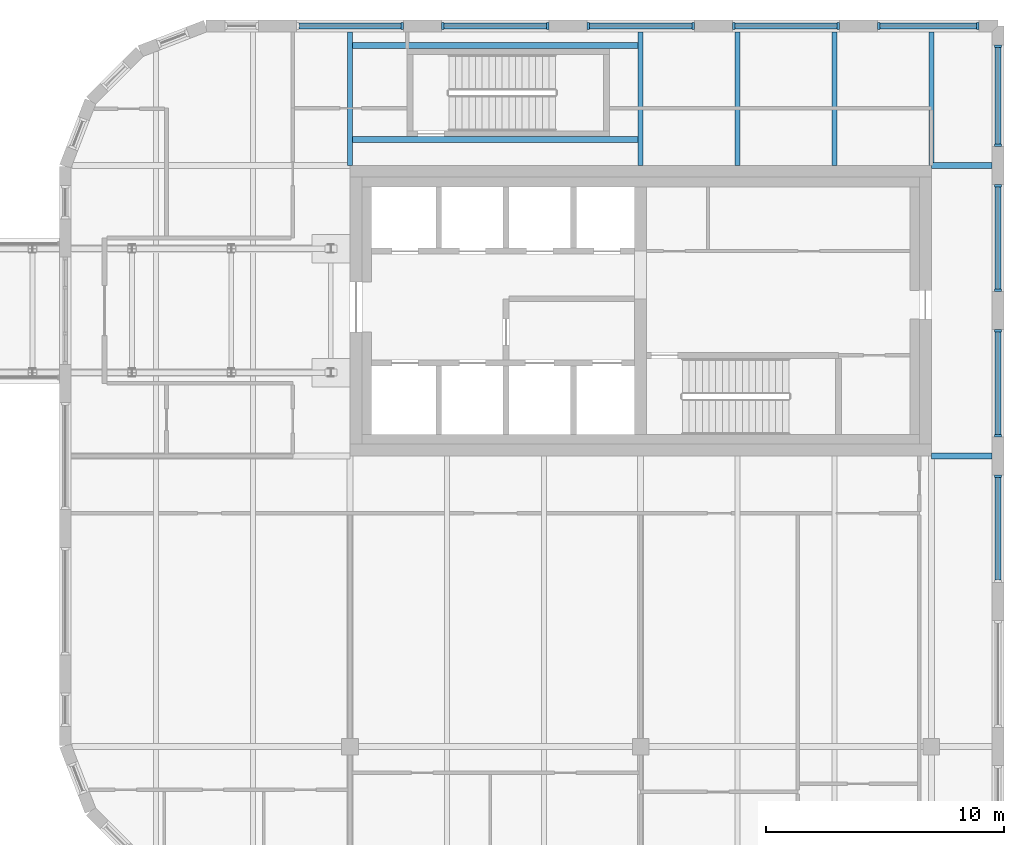
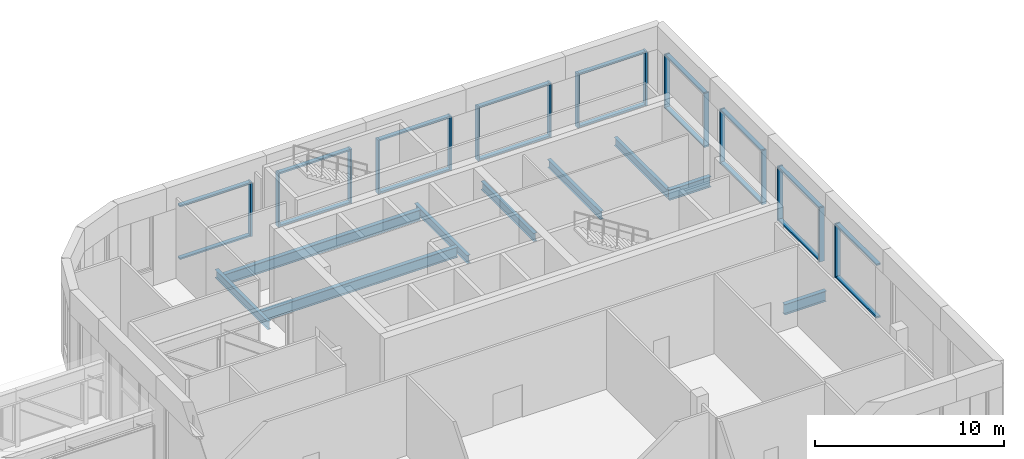
# One storey, part 12 of 36: 34 members, 9 beams, 9 elements without a shape of their own.
"""IFC4 building model written with IfcOpenShell, lengths in metres."""

from ifc_helpers import new_model, si_unit, direction, frame, origin, origin_2d, place, context, subcontext, project, spatial, rectangle, i_section, extrude, material, material_profile, profile_set, type_object, element, aggregate, save


model = new_model("IFC4")

# Units and contexts
model_context = context("Model", 3, precision=1e-05, world=origin(), true_north=direction((0.0, 1.0)))
body_context = subcontext(model_context, "Body", "Model", "MODEL_VIEW")
ifc_project = project(units=[si_unit("LENGTHUNIT", "METRE"), si_unit("AREAUNIT", "SQUARE_METRE"), si_unit("VOLUMEUNIT", "CUBIC_METRE"), si_unit("PLANEANGLEUNIT", "RADIAN"), si_unit("MASSUNIT", "GRAM", prefix="KILO")], contexts=[model_context])

# Site, building, storey
site_placement = place(None, origin())
site = spatial("IfcSite", under=ifc_project, at=site_placement, CompositionType="ELEMENT")
building_placement = place(site_placement, origin())
building = spatial("IfcBuilding", under=site, at=building_placement, Name="Tessera Gate Towers", CompositionType="ELEMENT")
storey_placement = place(building_placement, frame((0.0, 0.0, 106.60009765625)))
storey = spatial("IfcBuildingStorey", under=building, at=storey_placement, Name="L26", CompositionType="ELEMENT", Elevation=106.60009765625)

# Beams
ifc_material_1 = material(Name="Steel 350W", Category="steel")
ifc_material_profile_1 = material_profile(ifc_material_1, i_section(OverallWidth=0.2529296875, OverallDepth=0.677978515625, WebThickness=0.01171875, FlangeThickness=0.016357421875, at=origin_2d()), Name="W690x125")
ifc_profile_set_1 = profile_set([ifc_material_profile_1], Name="Steel 350W")
beam_type_1 = type_object("IfcBeamType", Name="FLOOR GIRDER W690x125", PredefinedType="BEAM", material=ifc_profile_set_1)
for number, where, z_axis, x_axis, name in (
    (1, (122.0009765625, 36.60009765625, -0.589111328125), (1.0, 0.0, 0.0), (0.0, 1.0, 0.0), "T2-GD-L26-3483"),
    (2, (122.0009765625, 48.800048828125, -0.589111328125), (1.0, 0.0, 0.0), (0.0, 1.0, 0.0), "T2-GD-L26-3485"),
):
    element("IfcBeam", number, at=place(storey_placement, frame(where, z_axis=z_axis, x_axis=x_axis)), inside=storey, type_object=beam_type_1, Name=name, PredefinedType="BEAM", context=body_context, shape_type="SweptSolid", body=[
        extrude(i_section(OverallWidth=0.2529296875, OverallDepth=0.677978515625, WebThickness=0.01171875, FlangeThickness=0.016357421875, at=origin_2d()), origin(), (0.0, 0.0, 1.0), 2.550048828125),
    ])
for number, where, z_axis, x_axis, name in (
    (3, (97.70458984375, 49.8798828125, -0.589111328125), (1.0, 0.0, 0.0), (0.0, 1.0, 0.0), "T2-GD-L26-3492"),
    (4, (97.70458984375, 53.820068359375, -0.589111328125), (1.0, 0.0, 0.0), (0.0, 1.0, 0.0), "T2-GD-L26-3493"),
):
    element("IfcBeam", number, at=place(storey_placement, frame(where, z_axis=z_axis, x_axis=x_axis)), inside=storey, type_object=beam_type_1, Name=name, PredefinedType="BEAM", context=body_context, shape_type="SweptSolid", body=[
        extrude(i_section(OverallWidth=0.2529296875, OverallDepth=0.677978515625, WebThickness=0.01171875, FlangeThickness=0.016357421875, at=origin_2d()), origin(), (0.0, 0.0, 1.0), 11.990966796875),
    ])
ifc_material_2 = material(Name="Steel 350W", Category="steel")
ifc_material_profile_2 = material_profile(ifc_material_2, i_section(OverallWidth=0.208984375, OverallDepth=0.528076171875, WebThickness=0.009521484375, FlangeThickness=0.01318359375, at=origin_2d()), Name="W530x82")
ifc_profile_set_2 = profile_set([ifc_material_profile_2], Name="Steel 350W")
beam_type_2 = type_object("IfcBeamType", Name="FLOOR SECONDARY W530x82", PredefinedType="BEAM", material=ifc_profile_set_2)
for number, where, z_axis, x_axis, name in (
    (5, (97.60009765625, 48.800048828125, -0.51416015625), (0.0, 1.0, 0.0), (-1.0, 0.0, 0.0), "T2-BM-L26-3504"),
    (6, (109.800048828125, 48.800048828125, -0.51416015625), (0.0, 1.0, 0.0), (-1.0, 0.0, 0.0), "T2-BM-L26-3509"),
    (7, (113.86669921875, 48.800048828125, -0.51416015625), (0.0, 1.0, 0.0), (-1.0, 0.0, 0.0), "T2-BM-L26-3512"),
    (8, (117.933349609375, 48.800048828125, -0.51416015625), (0.0, 1.0, 0.0), (-1.0, 0.0, 0.0), "T2-BM-L26-3515"),
    (9, (122.0, 48.800048828125, -0.51416015625), (0.0, 1.0, 0.0), (-1.0, 0.0, 0.0), "T2-BM-L26-3516"),
):
    element("IfcBeam", number, at=place(storey_placement, frame(where, z_axis=z_axis, x_axis=x_axis)), inside=storey, type_object=beam_type_2, Name=name, PredefinedType="BEAM", context=body_context, shape_type="SweptSolid", body=[
        extrude(i_section(OverallWidth=0.208984375, OverallDepth=0.528076171875, WebThickness=0.009521484375, FlangeThickness=0.01318359375, at=origin_2d()), origin(), (0.0, 0.0, 1.0), 5.599853515625),
    ])

# Curtain wall, member
ifc_material_3 = material(Name="Aluminium frame", Category="aluminium")
curtain_wall_type = type_object("IfcCurtainWallType", Name="CW-S3 amenity floor glazing", PredefinedType="NOTDEFINED", material=ifc_material_3)
curtain_wall_1_placement = place(storey_placement, origin())
curtain_wall_1 = element("IfcCurtainWall", 10, at=curtain_wall_1_placement, inside=storey, type_object=curtain_wall_type, Name="Curtain wall amenity floor glazing 0127", PredefinedType="NOTDEFINED")
ifc_material_4 = material(Name="Aluminium frame", Category="aluminium")
ifc_material_profile_3 = material_profile(ifc_material_4, rectangle(XDim=0.10009765625, YDim=0.300048828125, at=origin_2d()), Name="AL 100x300")
ifc_profile_set_3 = profile_set([ifc_material_profile_3], Name="Aluminium frame")
member_type_1 = type_object("IfcMemberType", Name="MU-S3 mullion 100x300", PredefinedType="MULLION", material=ifc_profile_set_3)
member_1_placement = place(storey_placement, frame((124.800048828125, 35.75, 1.0), z_axis=(0.0, 0.0, 1.0), x_axis=(0.0, 1.0, 0.0)))
member_1 = element("IfcMember", 11, at=member_1_placement, type_object=member_type_1, Name="T2-CW3-0127 mullion 2", PredefinedType="MULLION", context=body_context, shape_type="SweptSolid", body=[
    extrude(rectangle(XDim=0.10009765625, YDim=0.300048828125, at=origin_2d()), origin(), (0.0, 0.0, 1.0), 3.5),
])

# Curtain wall, members
curtain_wall_2_placement = place(storey_placement, origin())
curtain_wall_2 = element("IfcCurtainWall", 12, at=curtain_wall_2_placement, inside=storey, type_object=curtain_wall_type, Name="Curtain wall amenity floor glazing 0128", PredefinedType="NOTDEFINED")
member_2_placement = place(storey_placement, frame((124.800048828125, 37.449951171875, 1.0), z_axis=(0.0, 0.0, 1.0), x_axis=(0.0, 1.0, 0.0)))
member_2 = element("IfcMember", 13, at=member_2_placement, type_object=member_type_1, Name="T2-CW3-0128 mullion 1", PredefinedType="MULLION", context=body_context, shape_type="SweptSolid", body=[
    extrude(rectangle(XDim=0.10009765625, YDim=0.300048828125, at=origin_2d()), origin(), (0.0, 0.0, 1.0), 3.5),
])
member_3_placement = place(storey_placement, frame((124.800048828125, 41.85009765625, 1.0), z_axis=(0.0, 0.0, 1.0), x_axis=(0.0, 1.0, 0.0)))
member_3 = element("IfcMember", 14, at=member_3_placement, type_object=member_type_1, Name="T2-CW3-0128 mullion 2", PredefinedType="MULLION", context=body_context, shape_type="SweptSolid", body=[
    extrude(rectangle(XDim=0.10009765625, YDim=0.300048828125, at=origin_2d()), origin(), (0.0, 0.0, 1.0), 3.5),
])

curtain_wall_3_placement = place(storey_placement, origin())
curtain_wall_3 = element("IfcCurtainWall", 15, at=curtain_wall_3_placement, inside=storey, type_object=curtain_wall_type, Name="Curtain wall amenity floor glazing 0129", PredefinedType="NOTDEFINED")
member_4_placement = place(storey_placement, frame((124.800048828125, 43.550048828125, 1.0), z_axis=(0.0, 0.0, 1.0), x_axis=(0.0, 1.0, 0.0)))
member_4 = element("IfcMember", 16, at=member_4_placement, type_object=member_type_1, Name="T2-CW3-0129 mullion 1", PredefinedType="MULLION", context=body_context, shape_type="SweptSolid", body=[
    extrude(rectangle(XDim=0.10009765625, YDim=0.300048828125, at=origin_2d()), origin(), (0.0, 0.0, 1.0), 3.5),
])
member_5_placement = place(storey_placement, frame((124.800048828125, 47.949951171875, 1.0), z_axis=(0.0, 0.0, 1.0), x_axis=(0.0, 1.0, 0.0)))
member_5 = element("IfcMember", 17, at=member_5_placement, type_object=member_type_1, Name="T2-CW3-0129 mullion 2", PredefinedType="MULLION", context=body_context, shape_type="SweptSolid", body=[
    extrude(rectangle(XDim=0.10009765625, YDim=0.300048828125, at=origin_2d()), origin(), (0.0, 0.0, 1.0), 3.5),
])

curtain_wall_4_placement = place(storey_placement, origin())
curtain_wall_4 = element("IfcCurtainWall", 18, at=curtain_wall_4_placement, inside=storey, type_object=curtain_wall_type, Name="Curtain wall amenity floor glazing 0130", PredefinedType="NOTDEFINED")
member_6_placement = place(storey_placement, frame((124.800048828125, 49.64990234375, 1.0), z_axis=(0.0, 0.0, 1.0), x_axis=(0.0, 1.0, 0.0)))
member_6 = element("IfcMember", 19, at=member_6_placement, type_object=member_type_1, Name="T2-CW3-0130 mullion 1", PredefinedType="MULLION", context=body_context, shape_type="SweptSolid", body=[
    extrude(rectangle(XDim=0.10009765625, YDim=0.300048828125, at=origin_2d()), origin(), (0.0, 0.0, 1.0), 3.5),
])
member_7_placement = place(storey_placement, frame((124.800048828125, 53.800048828125, 1.0), z_axis=(0.0, 0.0, 1.0), x_axis=(0.0, 1.0, 0.0)))
member_7 = element("IfcMember", 20, at=member_7_placement, type_object=member_type_1, Name="T2-CW3-0130 mullion 2", PredefinedType="MULLION", context=body_context, shape_type="SweptSolid", body=[
    extrude(rectangle(XDim=0.10009765625, YDim=0.300048828125, at=origin_2d()), origin(), (0.0, 0.0, 1.0), 3.5),
])

curtain_wall_5_placement = place(storey_placement, origin())
curtain_wall_5 = element("IfcCurtainWall", 21, at=curtain_wall_5_placement, inside=storey, type_object=curtain_wall_type, Name="Curtain wall amenity floor glazing 0131", PredefinedType="NOTDEFINED")
member_8_placement = place(storey_placement, frame((123.949951171875, 54.64990234375, 1.0), z_axis=(0.0, 0.0, 1.0), x_axis=(-1.0, 0.0, 0.0)))
member_8 = element("IfcMember", 22, at=member_8_placement, type_object=member_type_1, Name="T2-CW3-0131 mullion 1", PredefinedType="MULLION", context=body_context, shape_type="SweptSolid", body=[
    extrude(rectangle(XDim=0.10009765625, YDim=0.300048828125, at=origin_2d()), origin(), (0.0, 0.0, 1.0), 3.5),
])
member_9_placement = place(storey_placement, frame((119.800048828125, 54.64990234375, 1.0), z_axis=(0.0, 0.0, 1.0), x_axis=(-1.0, 0.0, 0.0)))
member_9 = element("IfcMember", 23, at=member_9_placement, type_object=member_type_1, Name="T2-CW3-0131 mullion 2", PredefinedType="MULLION", context=body_context, shape_type="SweptSolid", body=[
    extrude(rectangle(XDim=0.10009765625, YDim=0.300048828125, at=origin_2d()), origin(), (0.0, 0.0, 1.0), 3.5),
])

curtain_wall_6_placement = place(storey_placement, origin())
curtain_wall_6 = element("IfcCurtainWall", 24, at=curtain_wall_6_placement, inside=storey, type_object=curtain_wall_type, Name="Curtain wall amenity floor glazing 0132", PredefinedType="NOTDEFINED")
member_10_placement = place(storey_placement, frame((118.10009765625, 54.64990234375, 1.0), z_axis=(0.0, 0.0, 1.0), x_axis=(-1.0, 0.0, 0.0)))
member_10 = element("IfcMember", 25, at=member_10_placement, type_object=member_type_1, Name="T2-CW3-0132 mullion 1", PredefinedType="MULLION", context=body_context, shape_type="SweptSolid", body=[
    extrude(rectangle(XDim=0.10009765625, YDim=0.300048828125, at=origin_2d()), origin(), (0.0, 0.0, 1.0), 3.5),
])
member_11_placement = place(storey_placement, frame((113.699951171875, 54.64990234375, 1.0), z_axis=(0.0, 0.0, 1.0), x_axis=(-1.0, 0.0, 0.0)))
member_11 = element("IfcMember", 26, at=member_11_placement, type_object=member_type_1, Name="T2-CW3-0132 mullion 2", PredefinedType="MULLION", context=body_context, shape_type="SweptSolid", body=[
    extrude(rectangle(XDim=0.10009765625, YDim=0.300048828125, at=origin_2d()), origin(), (0.0, 0.0, 1.0), 3.5),
])

curtain_wall_7_placement = place(storey_placement, origin())
curtain_wall_7 = element("IfcCurtainWall", 27, at=curtain_wall_7_placement, inside=storey, type_object=curtain_wall_type, Name="Curtain wall amenity floor glazing 0133", PredefinedType="NOTDEFINED")
member_12_placement = place(storey_placement, frame((112.0, 54.64990234375, 1.0), z_axis=(0.0, 0.0, 1.0), x_axis=(-1.0, 0.0, 0.0)))
member_12 = element("IfcMember", 28, at=member_12_placement, type_object=member_type_1, Name="T2-CW3-0133 mullion 1", PredefinedType="MULLION", context=body_context, shape_type="SweptSolid", body=[
    extrude(rectangle(XDim=0.10009765625, YDim=0.300048828125, at=origin_2d()), origin(), (0.0, 0.0, 1.0), 3.5),
])
member_13_placement = place(storey_placement, frame((107.60009765625, 54.64990234375, 1.0), z_axis=(0.0, 0.0, 1.0), x_axis=(-1.0, 0.0, 0.0)))
member_13 = element("IfcMember", 29, at=member_13_placement, type_object=member_type_1, Name="T2-CW3-0133 mullion 2", PredefinedType="MULLION", context=body_context, shape_type="SweptSolid", body=[
    extrude(rectangle(XDim=0.10009765625, YDim=0.300048828125, at=origin_2d()), origin(), (0.0, 0.0, 1.0), 3.5),
])

curtain_wall_8_placement = place(storey_placement, origin())
curtain_wall_8 = element("IfcCurtainWall", 30, at=curtain_wall_8_placement, inside=storey, type_object=curtain_wall_type, Name="Curtain wall amenity floor glazing 0134", PredefinedType="NOTDEFINED")
member_14_placement = place(storey_placement, frame((105.89990234375, 54.64990234375, 1.0), z_axis=(0.0, 0.0, 1.0), x_axis=(-1.0, 0.0, 0.0)))
member_14 = element("IfcMember", 31, at=member_14_placement, type_object=member_type_1, Name="T2-CW3-0134 mullion 1", PredefinedType="MULLION", context=body_context, shape_type="SweptSolid", body=[
    extrude(rectangle(XDim=0.10009765625, YDim=0.300048828125, at=origin_2d()), origin(), (0.0, 0.0, 1.0), 3.5),
])
member_15_placement = place(storey_placement, frame((101.5, 54.64990234375, 1.0), z_axis=(0.0, 0.0, 1.0), x_axis=(-1.0, 0.0, 0.0)))
member_15 = element("IfcMember", 32, at=member_15_placement, type_object=member_type_1, Name="T2-CW3-0134 mullion 2", PredefinedType="MULLION", context=body_context, shape_type="SweptSolid", body=[
    extrude(rectangle(XDim=0.10009765625, YDim=0.300048828125, at=origin_2d()), origin(), (0.0, 0.0, 1.0), 3.5),
])

# Curtain wall, member
curtain_wall_9_placement = place(storey_placement, origin())
curtain_wall_9 = element("IfcCurtainWall", 33, at=curtain_wall_9_placement, inside=storey, type_object=curtain_wall_type, Name="Curtain wall amenity floor glazing 0135", PredefinedType="NOTDEFINED")
member_16_placement = place(storey_placement, frame((99.800048828125, 54.64990234375, 1.0), z_axis=(0.0, 0.0, 1.0), x_axis=(-1.0, 0.0, 0.0)))
member_16 = element("IfcMember", 34, at=member_16_placement, type_object=member_type_1, Name="T2-CW3-0135 mullion 1", PredefinedType="MULLION", context=body_context, shape_type="SweptSolid", body=[
    extrude(rectangle(XDim=0.10009765625, YDim=0.300048828125, at=origin_2d()), origin(), (0.0, 0.0, 1.0), 3.5),
])

# Member
ifc_material_5 = material(Name="Aluminium frame", Category="aluminium")
ifc_material_profile_4 = material_profile(ifc_material_5, rectangle(XDim=0.25, YDim=0.10009765625, at=origin_2d()), Name="AL 100x250")
ifc_profile_set_4 = profile_set([ifc_material_profile_4], Name="Aluminium frame")
member_type_2 = type_object("IfcMemberType", Name="TR-S3 transom 100x250", PredefinedType="USERDEFINED", material=ifc_profile_set_4)
member_17_placement = place(storey_placement, frame((124.800048828125, 31.39990234375, 1.0498046875), z_axis=(0.0, 1.0, 0.0), x_axis=(-1.0, 0.0, 0.0)))
member_17 = element("IfcMember", 35, at=member_17_placement, type_object=member_type_2, Name="T2-CW3-0127 transom 1.1", ObjectType="TRANSOM", PredefinedType="USERDEFINED", context=body_context, shape_type="SweptSolid", body=[
    extrude(rectangle(XDim=0.25, YDim=0.10009765625, at=origin_2d()), origin(), (0.0, 0.0, 1.0), 4.300048828125),
])

member_18_placement = place(storey_placement, frame((124.800048828125, 31.39990234375, 4.449951171875), z_axis=(0.0, 1.0, 0.0), x_axis=(-1.0, 0.0, 0.0)))
member_18 = element("IfcMember", 36, at=member_18_placement, type_object=member_type_2, Name="T2-CW3-0127 transom 1.2", ObjectType="TRANSOM", PredefinedType="USERDEFINED", context=body_context, shape_type="SweptSolid", body=[
    extrude(rectangle(XDim=0.25, YDim=0.10009765625, at=origin_2d()), origin(), (0.0, 0.0, 1.0), 4.300048828125),
])

aggregate(curtain_wall_1, [member_1, member_17, member_18])

member_19_placement = place(storey_placement, frame((124.800048828125, 37.5, 1.0498046875), z_axis=(0.0, 1.0, 0.0), x_axis=(-1.0, 0.0, 0.0)))
member_19 = element("IfcMember", 37, at=member_19_placement, type_object=member_type_2, Name="T2-CW3-0128 transom 1.1", ObjectType="TRANSOM", PredefinedType="USERDEFINED", context=body_context, shape_type="SweptSolid", body=[
    extrude(rectangle(XDim=0.25, YDim=0.10009765625, at=origin_2d()), origin(), (0.0, 0.0, 1.0), 4.300048828125),
])

member_20_placement = place(storey_placement, frame((124.800048828125, 37.5, 4.449951171875), z_axis=(0.0, 1.0, 0.0), x_axis=(-1.0, 0.0, 0.0)))
member_20 = element("IfcMember", 38, at=member_20_placement, type_object=member_type_2, Name="T2-CW3-0128 transom 1.2", ObjectType="TRANSOM", PredefinedType="USERDEFINED", context=body_context, shape_type="SweptSolid", body=[
    extrude(rectangle(XDim=0.25, YDim=0.10009765625, at=origin_2d()), origin(), (0.0, 0.0, 1.0), 4.300048828125),
])

aggregate(curtain_wall_2, [member_2, member_3, member_19, member_20])

member_21_placement = place(storey_placement, frame((124.800048828125, 43.60009765625, 1.0498046875), z_axis=(0.0, 1.0, 0.0), x_axis=(-1.0, 0.0, 0.0)))
member_21 = element("IfcMember", 39, at=member_21_placement, type_object=member_type_2, Name="T2-CW3-0129 transom 1.1", ObjectType="TRANSOM", PredefinedType="USERDEFINED", context=body_context, shape_type="SweptSolid", body=[
    extrude(rectangle(XDim=0.25, YDim=0.10009765625, at=origin_2d()), origin(), (0.0, 0.0, 1.0), 4.2998046875),
])

member_22_placement = place(storey_placement, frame((124.800048828125, 43.60009765625, 4.449951171875), z_axis=(0.0, 1.0, 0.0), x_axis=(-1.0, 0.0, 0.0)))
member_22 = element("IfcMember", 40, at=member_22_placement, type_object=member_type_2, Name="T2-CW3-0129 transom 1.2", ObjectType="TRANSOM", PredefinedType="USERDEFINED", context=body_context, shape_type="SweptSolid", body=[
    extrude(rectangle(XDim=0.25, YDim=0.10009765625, at=origin_2d()), origin(), (0.0, 0.0, 1.0), 4.2998046875),
])

aggregate(curtain_wall_3, [member_4, member_5, member_21, member_22])

member_23_placement = place(storey_placement, frame((124.800048828125, 49.699951171875, 1.0498046875), z_axis=(0.0, 1.0, 0.0), x_axis=(-1.0, 0.0, 0.0)))
member_23 = element("IfcMember", 41, at=member_23_placement, type_object=member_type_2, Name="T2-CW3-0130 transom 1.1", ObjectType="TRANSOM", PredefinedType="USERDEFINED", context=body_context, shape_type="SweptSolid", body=[
    extrude(rectangle(XDim=0.25, YDim=0.10009765625, at=origin_2d()), origin(), (0.0, 0.0, 1.0), 4.050048828125),
])

member_24_placement = place(storey_placement, frame((124.800048828125, 49.699951171875, 4.449951171875), z_axis=(0.0, 1.0, 0.0), x_axis=(-1.0, 0.0, 0.0)))
member_24 = element("IfcMember", 42, at=member_24_placement, type_object=member_type_2, Name="T2-CW3-0130 transom 1.2", ObjectType="TRANSOM", PredefinedType="USERDEFINED", context=body_context, shape_type="SweptSolid", body=[
    extrude(rectangle(XDim=0.25, YDim=0.10009765625, at=origin_2d()), origin(), (0.0, 0.0, 1.0), 4.050048828125),
])

aggregate(curtain_wall_4, [member_6, member_7, member_23, member_24])

member_25_placement = place(storey_placement, frame((123.89990234375, 54.64990234375, 1.0498046875), z_axis=(-1.0, 0.0, 0.0), x_axis=(0.0, -1.0, 0.0)))
member_25 = element("IfcMember", 43, at=member_25_placement, type_object=member_type_2, Name="T2-CW3-0131 transom 1.1", ObjectType="TRANSOM", PredefinedType="USERDEFINED", context=body_context, shape_type="SweptSolid", body=[
    extrude(rectangle(XDim=0.25, YDim=0.10009765625, at=origin_2d()), origin(), (0.0, 0.0, 1.0), 4.0498046875),
])

member_26_placement = place(storey_placement, frame((123.89990234375, 54.64990234375, 4.449951171875), z_axis=(-1.0, 0.0, 0.0), x_axis=(0.0, -1.0, 0.0)))
member_26 = element("IfcMember", 44, at=member_26_placement, type_object=member_type_2, Name="T2-CW3-0131 transom 1.2", ObjectType="TRANSOM", PredefinedType="USERDEFINED", context=body_context, shape_type="SweptSolid", body=[
    extrude(rectangle(XDim=0.25, YDim=0.10009765625, at=origin_2d()), origin(), (0.0, 0.0, 1.0), 4.0498046875),
])

aggregate(curtain_wall_5, [member_8, member_9, member_25, member_26])

member_27_placement = place(storey_placement, frame((118.050048828125, 54.64990234375, 1.0498046875), z_axis=(-1.0, 0.0, 0.0), x_axis=(0.0, -1.0, 0.0)))
member_27 = element("IfcMember", 45, at=member_27_placement, type_object=member_type_2, Name="T2-CW3-0132 transom 1.1", ObjectType="TRANSOM", PredefinedType="USERDEFINED", context=body_context, shape_type="SweptSolid", body=[
    extrude(rectangle(XDim=0.25, YDim=0.10009765625, at=origin_2d()), origin(), (0.0, 0.0, 1.0), 4.300048828125),
])

member_28_placement = place(storey_placement, frame((118.050048828125, 54.64990234375, 4.449951171875), z_axis=(-1.0, 0.0, 0.0), x_axis=(0.0, -1.0, 0.0)))
member_28 = element("IfcMember", 46, at=member_28_placement, type_object=member_type_2, Name="T2-CW3-0132 transom 1.2", ObjectType="TRANSOM", PredefinedType="USERDEFINED", context=body_context, shape_type="SweptSolid", body=[
    extrude(rectangle(XDim=0.25, YDim=0.10009765625, at=origin_2d()), origin(), (0.0, 0.0, 1.0), 4.300048828125),
])

aggregate(curtain_wall_6, [member_10, member_11, member_27, member_28])

member_29_placement = place(storey_placement, frame((111.949951171875, 54.64990234375, 1.0498046875), z_axis=(-1.0, 0.0, 0.0), x_axis=(0.0, -1.0, 0.0)))
member_29 = element("IfcMember", 47, at=member_29_placement, type_object=member_type_2, Name="T2-CW3-0133 transom 1.1", ObjectType="TRANSOM", PredefinedType="USERDEFINED", context=body_context, shape_type="SweptSolid", body=[
    extrude(rectangle(XDim=0.25, YDim=0.10009765625, at=origin_2d()), origin(), (0.0, 0.0, 1.0), 4.300048828125),
])

member_30_placement = place(storey_placement, frame((111.949951171875, 54.64990234375, 4.449951171875), z_axis=(-1.0, 0.0, 0.0), x_axis=(0.0, -1.0, 0.0)))
member_30 = element("IfcMember", 48, at=member_30_placement, type_object=member_type_2, Name="T2-CW3-0133 transom 1.2", ObjectType="TRANSOM", PredefinedType="USERDEFINED", context=body_context, shape_type="SweptSolid", body=[
    extrude(rectangle(XDim=0.25, YDim=0.10009765625, at=origin_2d()), origin(), (0.0, 0.0, 1.0), 4.300048828125),
])

aggregate(curtain_wall_7, [member_12, member_13, member_29, member_30])

member_31_placement = place(storey_placement, frame((105.85009765625, 54.64990234375, 1.0498046875), z_axis=(-1.0, 0.0, 0.0), x_axis=(0.0, -1.0, 0.0)))
member_31 = element("IfcMember", 49, at=member_31_placement, type_object=member_type_2, Name="T2-CW3-0134 transom 1.1", ObjectType="TRANSOM", PredefinedType="USERDEFINED", context=body_context, shape_type="SweptSolid", body=[
    extrude(rectangle(XDim=0.25, YDim=0.10009765625, at=origin_2d()), origin(), (0.0, 0.0, 1.0), 4.300048828125),
])

member_32_placement = place(storey_placement, frame((105.85009765625, 54.64990234375, 4.449951171875), z_axis=(-1.0, 0.0, 0.0), x_axis=(0.0, -1.0, 0.0)))
member_32 = element("IfcMember", 50, at=member_32_placement, type_object=member_type_2, Name="T2-CW3-0134 transom 1.2", ObjectType="TRANSOM", PredefinedType="USERDEFINED", context=body_context, shape_type="SweptSolid", body=[
    extrude(rectangle(XDim=0.25, YDim=0.10009765625, at=origin_2d()), origin(), (0.0, 0.0, 1.0), 4.300048828125),
])

aggregate(curtain_wall_8, [member_14, member_15, member_31, member_32])

member_33_placement = place(storey_placement, frame((99.75, 54.64990234375, 1.0498046875), z_axis=(-1.0, 0.0, 0.0), x_axis=(0.0, -1.0, 0.0)))
member_33 = element("IfcMember", 51, at=member_33_placement, type_object=member_type_2, Name="T2-CW3-0135 transom 1.1", ObjectType="TRANSOM", PredefinedType="USERDEFINED", context=body_context, shape_type="SweptSolid", body=[
    extrude(rectangle(XDim=0.25, YDim=0.10009765625, at=origin_2d()), origin(), (0.0, 0.0, 1.0), 4.300048828125),
])

member_34_placement = place(storey_placement, frame((99.75, 54.64990234375, 4.449951171875), z_axis=(-1.0, 0.0, 0.0), x_axis=(0.0, -1.0, 0.0)))
member_34 = element("IfcMember", 52, at=member_34_placement, type_object=member_type_2, Name="T2-CW3-0135 transom 1.2", ObjectType="TRANSOM", PredefinedType="USERDEFINED", context=body_context, shape_type="SweptSolid", body=[
    extrude(rectangle(XDim=0.25, YDim=0.10009765625, at=origin_2d()), origin(), (0.0, 0.0, 1.0), 4.300048828125),
])

aggregate(curtain_wall_9, [member_16, member_33, member_34])

save(model, "model.ifc")
